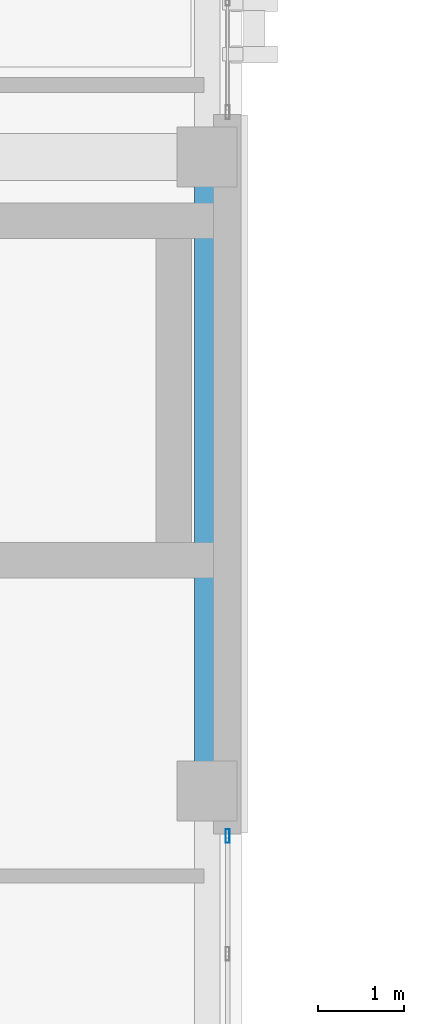
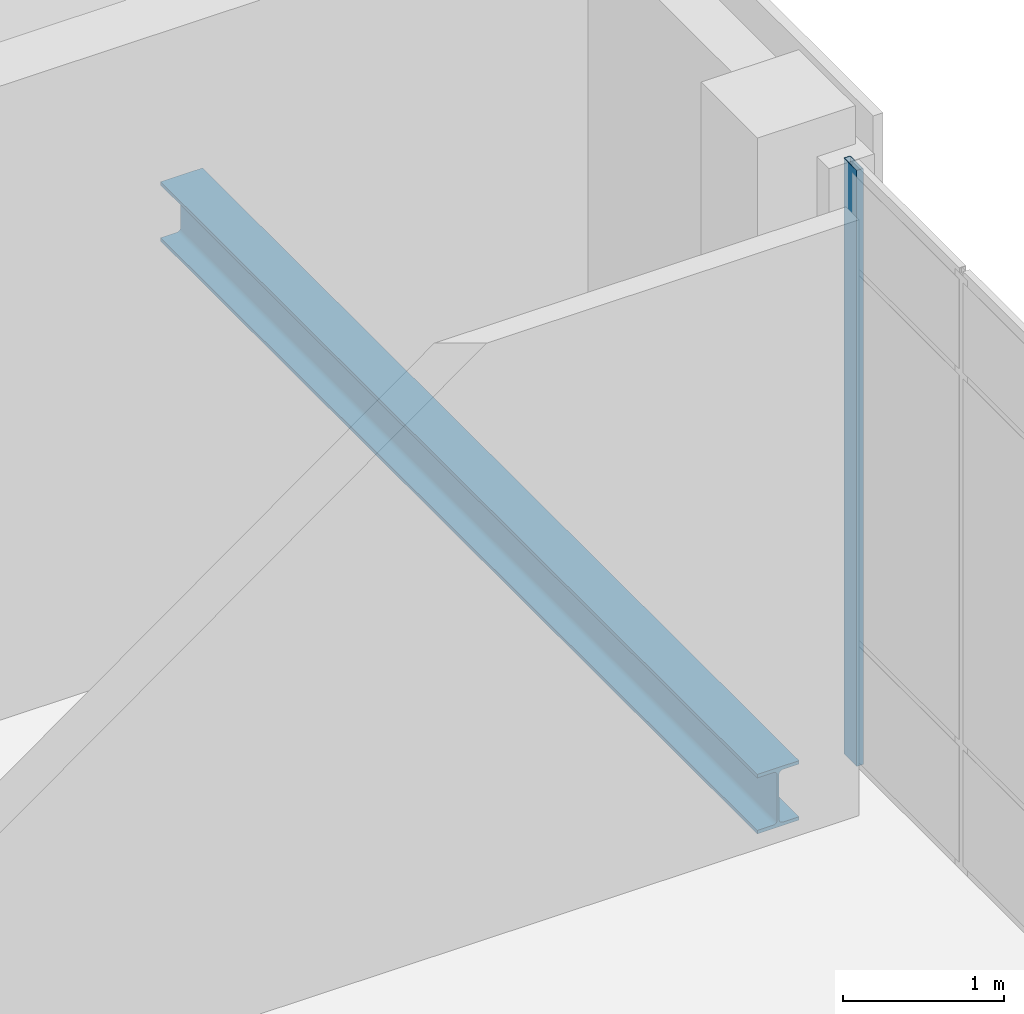
# One storey, part 105 of 189: 1 beam, 1 member, 1 element without a shape of its own.
"""IFC4 building model written with IfcOpenShell, lengths in metres."""

from ifc_helpers import new_model, si_unit, direction, frame, origin, origin_2d, place, context, subcontext, project, spatial, hollow_rectangle, i_section, extrude, material, layer, layer_set, material_profile, profile_set, type_object, element, aggregate, save


model = new_model("IFC4")

# Units and contexts
model_context = context("Model", 3, precision=1e-05, world=origin(), true_north=direction((0.0, 1.0)))
body_context = subcontext(model_context, "Body", "Model", "MODEL_VIEW")
ifc_project = project(units=[si_unit("LENGTHUNIT", "METRE"), si_unit("AREAUNIT", "SQUARE_METRE"), si_unit("VOLUMEUNIT", "CUBIC_METRE"), si_unit("PLANEANGLEUNIT", "RADIAN"), si_unit("MASSUNIT", "GRAM", prefix="KILO")], contexts=[model_context])

# Site, building, storey
site_placement = place(None, origin())
site = spatial("IfcSite", under=ifc_project, at=site_placement, CompositionType="ELEMENT")
building_placement = place(site_placement, origin())
building = spatial("IfcBuilding", under=site, at=building_placement, Name="Qalavern Law Courts", CompositionType="ELEMENT")
storey_placement = place(building_placement, frame((0.0, 0.0, 5.39990234375)))
storey = spatial("IfcBuildingStorey", under=building, at=storey_placement, Name="L01", CompositionType="ELEMENT", Elevation=5.39990234375)

# Curtain wall, member
ifc_material_1 = material(Name="Anodised aluminium and insulated glazing", Category="aluminium")
ifc_layer = layer(ifc_material_1, 0.172119140625)
ifc_layer_set = layer_set([ifc_layer], Name="Anodised aluminium and insulated glazing")
curtain_wall_type = type_object("IfcCurtainWallType", Name="ENV-CW-COURT", PredefinedType="USERDEFINED", material=ifc_layer_set)
curtain_wall_placement = place(storey_placement, origin())
curtain_wall = element("IfcCurtainWall", 1, at=curtain_wall_placement, inside=storey, type_object=curtain_wall_type, Name="V4 unitised curtain wall L01 east 3", ObjectType="UNITISED CURTAIN WALL", PredefinedType="USERDEFINED")
ifc_material_2 = material(Name="Anodised aluminium", Category="aluminium")
ifc_material_profile_1 = material_profile(ifc_material_2, hollow_rectangle(XDim=0.048095703125, YDim=0.159912109375, WallThickness=0.00390625, at=origin_2d()), Name="ALU MULLION 48x160")
ifc_profile_set_1 = profile_set([ifc_material_profile_1], Name="Anodised aluminium")
member_type = type_object("IfcMemberType", Name="ENV-CWM-48x160", PredefinedType="MULLION", material=ifc_profile_set_1)
member_placement = place(storey_placement, frame((106.637451171875, 64.8759765625, 0.0), z_axis=(0.0, 0.0, 1.0), x_axis=(-1.0, 0.0, 0.0)))
member = element("IfcMember", 2, at=member_placement, type_object=member_type, Name="CW-03 mullion 6", PredefinedType="MULLION", context=body_context, shape_type="SweptSolid", body=[
    extrude(hollow_rectangle(XDim=0.048095703125, YDim=0.159912109375, WallThickness=0.00390625, at=origin_2d()), origin(), (0.0, 0.0, 1.0), 4.510009765625),
])
aggregate(curtain_wall, [member])

# Beam
ifc_material_3 = material(Name="Steel S355", Category="steel")
ifc_material_profile_2 = material_profile(ifc_material_3, i_section(OverallWidth=0.300048828125, OverallDepth=0.449951171875, WebThickness=0.013916015625, FlangeThickness=0.02587890625, FilletRadius=0.027099609375, at=origin_2d()), Name="HEB 450")
ifc_profile_set_2 = profile_set([ifc_material_profile_2], Name="Steel S355")
beam_type = type_object("IfcBeamType", Name="STR-SP-HEB450", PredefinedType="SPANDREL", material=ifc_profile_set_2)
beam_placement = place(storey_placement, frame((106.39990234375, 65.39990234375, -0.52490234375), z_axis=(0.0, 1.0, 0.0), x_axis=(-1.0, 0.0, 0.0)))
element("IfcBeam", 3, at=beam_placement, inside=storey, type_object=beam_type, Name="V4 Y-beam 3-4 L01", PredefinedType="SPANDREL", context=body_context, shape_type="SweptSolid", body=[
    extrude(i_section(OverallWidth=0.300048828125, OverallDepth=0.449951171875, WebThickness=0.013916015625, FlangeThickness=0.02587890625, FilletRadius=0.027099609375, at=origin_2d()), origin(), (0.0, 0.0, 1.0), 7.400146484375),
])

save(model, "model.ifc")
